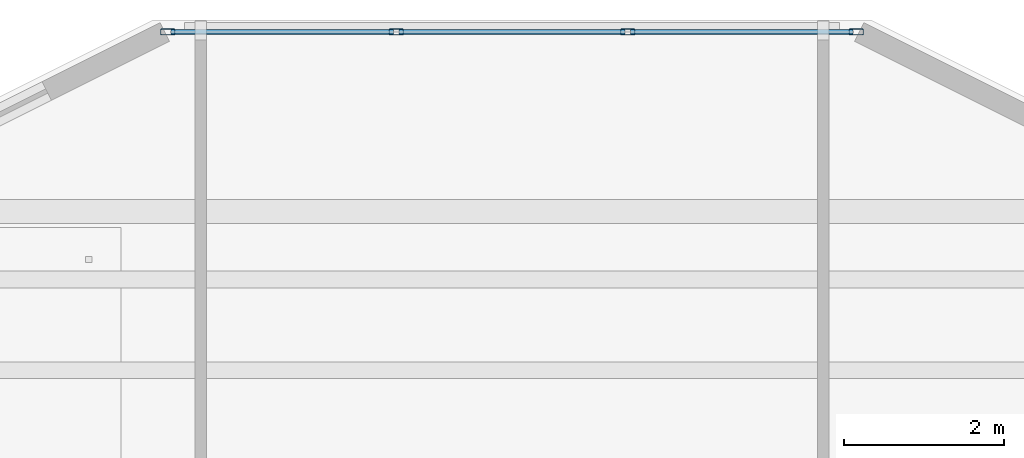
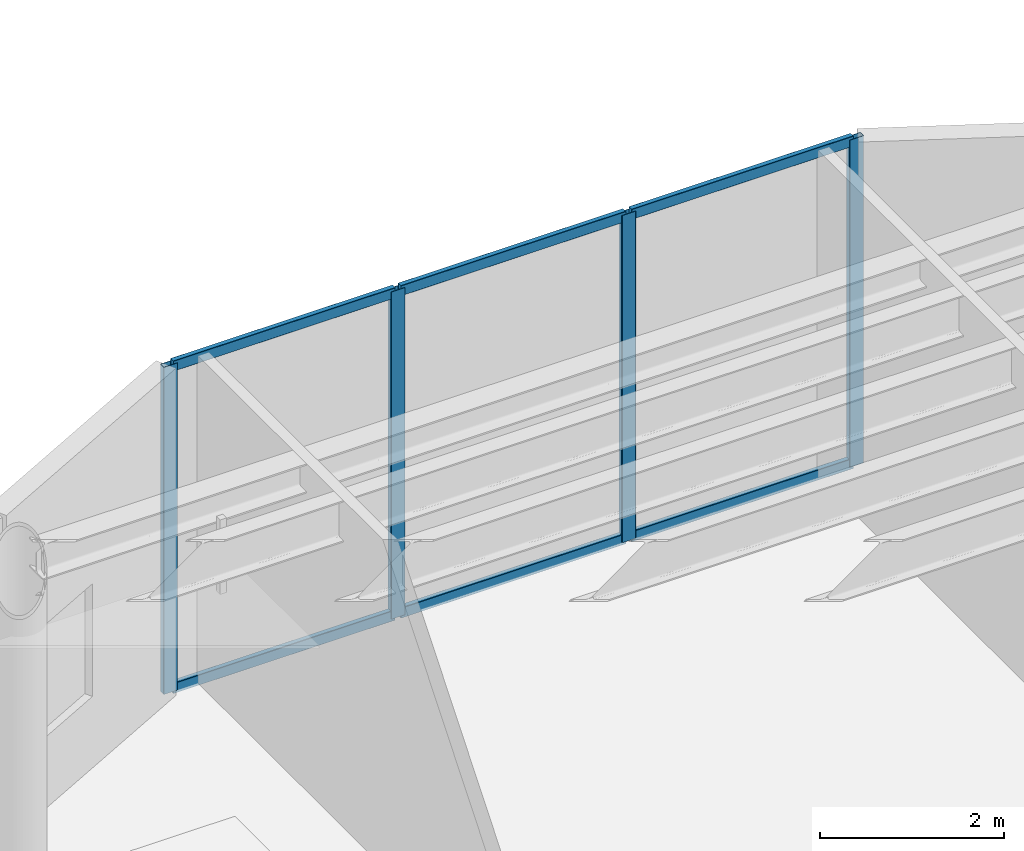
# One storey, part 19 of 34: 10 members, 1 element without a shape of its own.
"""IFC4 building model written with IfcOpenShell, lengths in metres."""

from ifc_helpers import new_model, si_unit, direction, frame, origin, origin_2d, place, context, subcontext, project, spatial, hollow_rectangle, extrude, material, layer, layer_set, material_profile, profile_set, type_object, element, aggregate, save


model = new_model("IFC4")

# Units and contexts
model_context = context("Model", 3, precision=1e-05, world=origin(), true_north=direction((0.0, 1.0)))
body_context = subcontext(model_context, "Body", "Model", "MODEL_VIEW")
ifc_project = project(units=[si_unit("LENGTHUNIT", "METRE"), si_unit("AREAUNIT", "SQUARE_METRE"), si_unit("VOLUMEUNIT", "CUBIC_METRE"), si_unit("PLANEANGLEUNIT", "RADIAN"), si_unit("MASSUNIT", "GRAM", prefix="KILO")], contexts=[model_context])

# Site, building, storey
site_placement = place(None, origin())
site = spatial("IfcSite", under=ifc_project, at=site_placement, CompositionType="ELEMENT")
building_placement = place(site_placement, origin())
building = spatial("IfcBuilding", under=site, at=building_placement, Name="Tarnavaz Court Tower", CompositionType="ELEMENT")
storey_placement = place(building_placement, frame((0.0, 0.0, 231.75)))
storey = spatial("IfcBuildingStorey", under=building, at=storey_placement, Name="L63", CompositionType="ELEMENT", Elevation=231.75)

# Curtain wall, members
ifc_material_1 = material(Name="Anodised Aluminium 6063-T6 and Solar Low-E Glazing", Category="aluminium")
ifc_layer = layer(ifc_material_1, 0.159912109375)
ifc_layer_set = layer_set([ifc_layer], Name="Anodised Aluminium 6063-T6 and Solar Low-E Glazing")
curtain_wall_type = type_object("IfcCurtainWallType", Name="CW-SYS-03", PredefinedType="NOTDEFINED", material=ifc_layer_set)
curtain_wall_placement = place(storey_placement, origin())
curtain_wall = element("IfcCurtainWall", 1, at=curtain_wall_placement, inside=storey, type_object=curtain_wall_type, Name="L63 Iwan Prow Curtain Wall 7", PredefinedType="NOTDEFINED")
ifc_material_2 = material(Name="Anodised Aluminium 6063-T6", Category="aluminium")
ifc_material_profile_1 = material_profile(ifc_material_2, hollow_rectangle(XDim=0.074951171875, YDim=0.179931640625, WallThickness=0.0048828125, InnerFilletRadius=0.0048828125, OuterFilletRadius=0.010009765625, at=origin_2d()), Name="ALU RHS 180X75X5")
ifc_profile_set_1 = profile_set([ifc_material_profile_1], Name="Anodised Aluminium 6063-T6")
member_type_1 = type_object("IfcMemberType", Name="CW-MUL-180", PredefinedType="MULLION", material=ifc_profile_set_1)
member_1_placement = place(storey_placement, frame((-4.3125, 22.35009765625, 0.0), z_axis=(0.0, 0.0, 1.0), x_axis=(0.0, 1.0, 0.0)))
member_1 = element("IfcMember", 2, at=member_1_placement, type_object=member_type_1, Name="CW mullion 1", PredefinedType="MULLION", context=body_context, shape_type="SweptSolid", body=[
    extrude(hollow_rectangle(XDim=0.074951171875, YDim=0.179931640625, WallThickness=0.0048828125, InnerFilletRadius=0.0048828125, OuterFilletRadius=0.010009765625, at=origin_2d()), origin(), (0.0, 0.0, 1.0), 4.35009765625),
])
member_2_placement = place(storey_placement, frame((-1.449951171875, 22.35009765625, 0.0), z_axis=(0.0, 0.0, 1.0), x_axis=(0.0, 1.0, 0.0)))
member_2 = element("IfcMember", 3, at=member_2_placement, type_object=member_type_1, Name="CW mullion 2", PredefinedType="MULLION", context=body_context, shape_type="SweptSolid", body=[
    extrude(hollow_rectangle(XDim=0.074951171875, YDim=0.179931640625, WallThickness=0.0048828125, InnerFilletRadius=0.0048828125, OuterFilletRadius=0.010009765625, at=origin_2d()), origin(), (0.0, 0.0, 1.0), 4.35009765625),
])
member_3_placement = place(storey_placement, frame((1.449951171875, 22.35009765625, 0.0), z_axis=(0.0, 0.0, 1.0), x_axis=(0.0, 1.0, 0.0)))
member_3 = element("IfcMember", 4, at=member_3_placement, type_object=member_type_1, Name="CW mullion 3", PredefinedType="MULLION", context=body_context, shape_type="SweptSolid", body=[
    extrude(hollow_rectangle(XDim=0.074951171875, YDim=0.179931640625, WallThickness=0.0048828125, InnerFilletRadius=0.0048828125, OuterFilletRadius=0.010009765625, at=origin_2d()), origin(), (0.0, 0.0, 1.0), 4.35009765625),
])
member_4_placement = place(storey_placement, frame((4.3125, 22.35009765625, 0.0), z_axis=(0.0, 0.0, 1.0), x_axis=(0.0, 1.0, 0.0)))
member_4 = element("IfcMember", 5, at=member_4_placement, type_object=member_type_1, Name="CW mullion 4", PredefinedType="MULLION", context=body_context, shape_type="SweptSolid", body=[
    extrude(hollow_rectangle(XDim=0.074951171875, YDim=0.179931640625, WallThickness=0.0048828125, InnerFilletRadius=0.0048828125, OuterFilletRadius=0.010009765625, at=origin_2d()), origin(), (0.0, 0.0, 1.0), 4.35009765625),
])
ifc_material_profile_2 = material_profile(ifc_material_2, hollow_rectangle(XDim=0.06494140625, YDim=0.139892578125, WallThickness=0.00390625, InnerFilletRadius=0.00390625, OuterFilletRadius=0.008056640625, at=origin_2d()), Name="ALU RHS 140X65X4")
ifc_profile_set_2 = profile_set([ifc_material_profile_2], Name="Anodised Aluminium 6063-T6")
member_type_2 = type_object("IfcMemberType", Name="CW-TRN-140", PredefinedType="USERDEFINED", material=ifc_profile_set_2)
member_5_placement = place(storey_placement, frame((-4.27490234375, 22.35009765625, 0.032470703125), z_axis=(1.0, 0.0, 0.0), x_axis=(0.0, 1.0, 0.0)))
member_5 = element("IfcMember", 6, at=member_5_placement, type_object=member_type_2, Name="CW transom 1.1", ObjectType="TRANSOM", PredefinedType="USERDEFINED", context=body_context, shape_type="SweptSolid", body=[
    extrude(hollow_rectangle(XDim=0.06494140625, YDim=0.139892578125, WallThickness=0.00390625, InnerFilletRadius=0.00390625, OuterFilletRadius=0.008056640625, at=origin_2d()), origin(), (0.0, 0.0, 1.0), 2.787353515625),
])
member_6_placement = place(storey_placement, frame((-4.27490234375, 22.35009765625, 4.3173828125), z_axis=(1.0, 0.0, 0.0), x_axis=(0.0, 1.0, 0.0)))
member_6 = element("IfcMember", 7, at=member_6_placement, type_object=member_type_2, Name="CW transom 1.2", ObjectType="TRANSOM", PredefinedType="USERDEFINED", context=body_context, shape_type="SweptSolid", body=[
    extrude(hollow_rectangle(XDim=0.06494140625, YDim=0.139892578125, WallThickness=0.00390625, InnerFilletRadius=0.00390625, OuterFilletRadius=0.008056640625, at=origin_2d()), origin(), (0.0, 0.0, 1.0), 2.787353515625),
])
member_7_placement = place(storey_placement, frame((-1.41259765625, 22.35009765625, 0.032470703125), z_axis=(1.0, 0.0, 0.0), x_axis=(0.0, 1.0, 0.0)))
member_7 = element("IfcMember", 8, at=member_7_placement, type_object=member_type_2, Name="CW transom 2.1", ObjectType="TRANSOM", PredefinedType="USERDEFINED", context=body_context, shape_type="SweptSolid", body=[
    extrude(hollow_rectangle(XDim=0.06494140625, YDim=0.139892578125, WallThickness=0.00390625, InnerFilletRadius=0.00390625, OuterFilletRadius=0.008056640625, at=origin_2d()), origin(), (0.0, 0.0, 1.0), 2.8251953125),
])
member_8_placement = place(storey_placement, frame((-1.41259765625, 22.35009765625, 4.3173828125), z_axis=(1.0, 0.0, 0.0), x_axis=(0.0, 1.0, 0.0)))
member_8 = element("IfcMember", 9, at=member_8_placement, type_object=member_type_2, Name="CW transom 2.2", ObjectType="TRANSOM", PredefinedType="USERDEFINED", context=body_context, shape_type="SweptSolid", body=[
    extrude(hollow_rectangle(XDim=0.06494140625, YDim=0.139892578125, WallThickness=0.00390625, InnerFilletRadius=0.00390625, OuterFilletRadius=0.008056640625, at=origin_2d()), origin(), (0.0, 0.0, 1.0), 2.8251953125),
])
member_9_placement = place(storey_placement, frame((1.487548828125, 22.35009765625, 0.032470703125), z_axis=(1.0, 0.0, 0.0), x_axis=(0.0, 1.0, 0.0)))
member_9 = element("IfcMember", 10, at=member_9_placement, type_object=member_type_2, Name="CW transom 3.1", ObjectType="TRANSOM", PredefinedType="USERDEFINED", context=body_context, shape_type="SweptSolid", body=[
    extrude(hollow_rectangle(XDim=0.06494140625, YDim=0.139892578125, WallThickness=0.00390625, InnerFilletRadius=0.00390625, OuterFilletRadius=0.008056640625, at=origin_2d()), origin(), (0.0, 0.0, 1.0), 2.787353515625),
])
member_10_placement = place(storey_placement, frame((1.487548828125, 22.35009765625, 4.3173828125), z_axis=(1.0, 0.0, 0.0), x_axis=(0.0, 1.0, 0.0)))
member_10 = element("IfcMember", 11, at=member_10_placement, type_object=member_type_2, Name="CW transom 3.2", ObjectType="TRANSOM", PredefinedType="USERDEFINED", context=body_context, shape_type="SweptSolid", body=[
    extrude(hollow_rectangle(XDim=0.06494140625, YDim=0.139892578125, WallThickness=0.00390625, InnerFilletRadius=0.00390625, OuterFilletRadius=0.008056640625, at=origin_2d()), origin(), (0.0, 0.0, 1.0), 2.787353515625),
])
aggregate(curtain_wall, [member_1, member_2, member_3, member_4, member_5, member_6, member_7, member_8, member_9, member_10])

save(model, "model.ifc")
